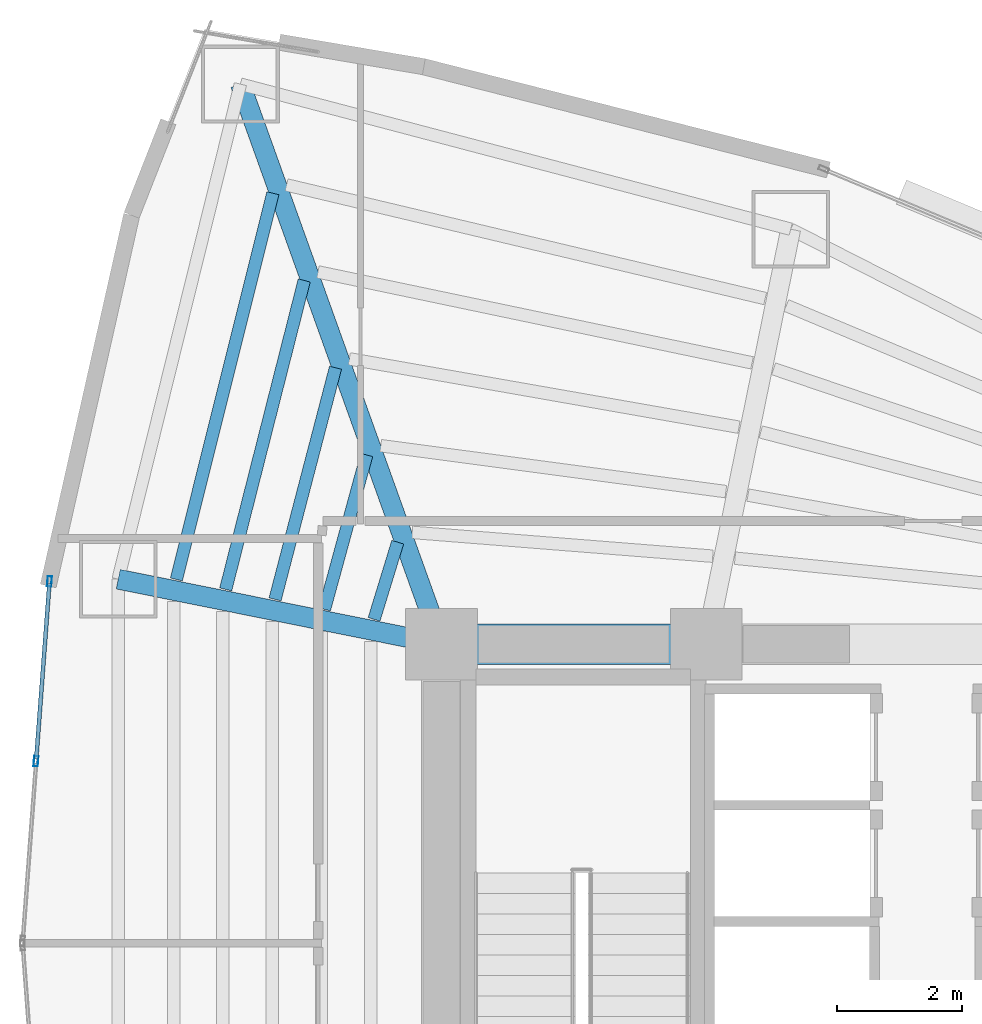
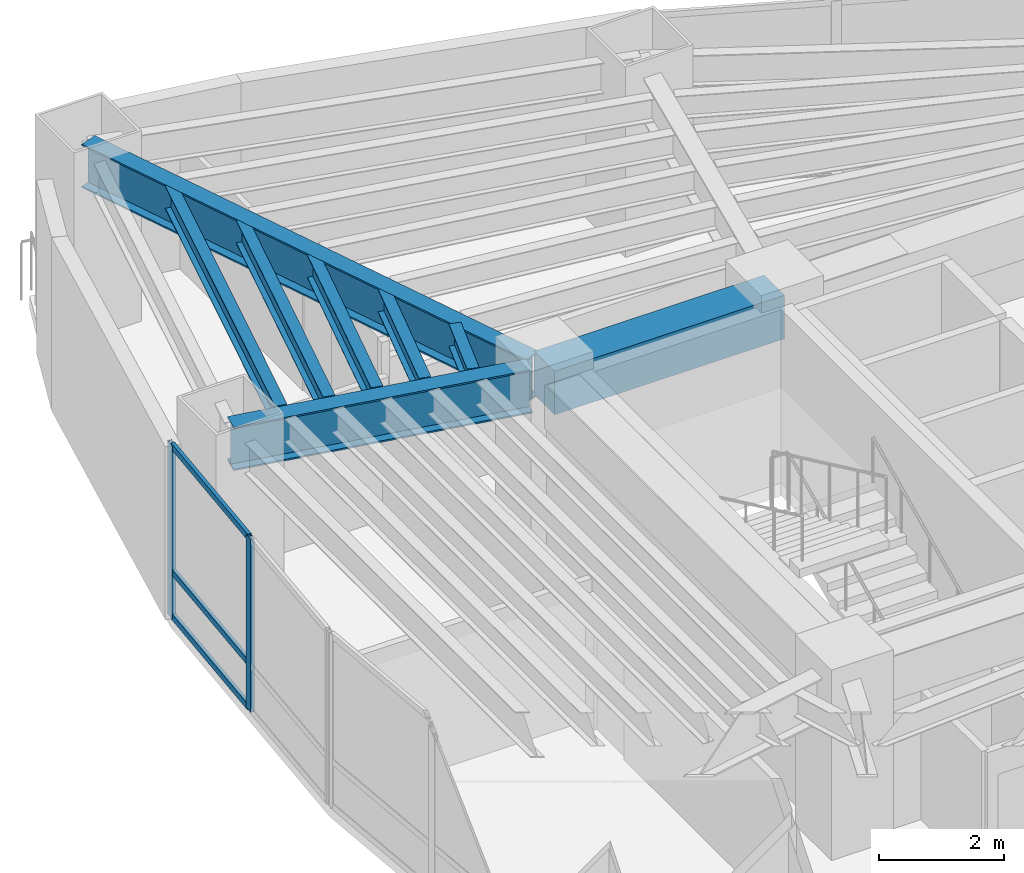
# One storey, part 7 of 16: 8 beams, 5 members, 1 element without a shape of its own.
"""IFC4 building model written with IfcOpenShell, lengths in metres."""

from ifc_helpers import new_model, si_unit, direction, frame, origin, origin_2d, place, context, subcontext, project, spatial, rectangle, hollow_rectangle, i_section, extrude, material, layer, layer_set, material_profile, profile_set, type_object, element, aggregate, save


model = new_model("IFC4")

# Units and contexts
model_context = context("Model", 3, precision=1e-05, world=origin(), true_north=direction((0.0, 1.0)))
body_context = subcontext(model_context, "Body", "Model", "MODEL_VIEW")
ifc_project = project(units=[si_unit("LENGTHUNIT", "METRE"), si_unit("AREAUNIT", "SQUARE_METRE"), si_unit("VOLUMEUNIT", "CUBIC_METRE"), si_unit("PLANEANGLEUNIT", "RADIAN"), si_unit("MASSUNIT", "GRAM", prefix="KILO")], contexts=[model_context])

# Site, building, storey
site_placement = place(None, origin())
site = spatial("IfcSite", under=ifc_project, at=site_placement, CompositionType="ELEMENT")
building_placement = place(site_placement, origin())
building = spatial("IfcBuilding", under=site, at=building_placement, Name="Menara Vayukalpa", CompositionType="ELEMENT")
storey_placement = place(building_placement, frame((0.0, 0.0, 79.679931640625)))
storey = spatial("IfcBuildingStorey", under=building, at=storey_placement, Name="L19", CompositionType="ELEMENT", Elevation=79.679931640625)

# Beams
ifc_material_1 = material(Name="Concrete C60/75", Category="concrete")
ifc_material_profile_1 = material_profile(ifc_material_1, rectangle(XDim=0.64990234375, YDim=0.85009765625, at=origin_2d()), Name="RC 650x850")
ifc_profile_set_1 = profile_set([ifc_material_profile_1], Name="Concrete C60/75")
beam_type_1 = type_object("IfcBeamType", Name="BM-CB1", PredefinedType="BEAM", material=ifc_profile_set_1)
beam_1_placement = place(storey_placement, frame((17.800048828125, 26.800048828125, 2.955078125), z_axis=(1.0, 0.0, 0.0), x_axis=(0.0, 1.0, 0.0)))
element("IfcBeam", 1, at=beam_1_placement, inside=storey, type_object=beam_type_1, Name="L19 Core Tie Beam CBR4", PredefinedType="BEAM", context=body_context, shape_type="SweptSolid", body=[
    extrude(rectangle(XDim=0.64990234375, YDim=0.85009765625, at=origin_2d()), origin(), (0.0, 0.0, 1.0), 4.25),
])
ifc_material_2 = material(Name="Steel S355", Category="steel")
ifc_material_profile_2 = material_profile(ifc_material_2, i_section(OverallWidth=0.320068359375, OverallDepth=0.85009765625, WebThickness=0.01611328125, FlangeThickness=0.030029296875, at=origin_2d()), Name="WF 850x320x16x30")
ifc_profile_set_2 = profile_set([ifc_material_profile_2], Name="Steel S355")
beam_type_2 = type_object("IfcBeamType", Name="BM-PG2", PredefinedType="BEAM", material=ifc_profile_set_2)
beam_2_placement = place(storey_placement, frame((17.715576171875, 27.035400390625, 2.955078125), z_axis=(-0.337975542909, 0.941154892882, 0.0), x_axis=(-0.941154892882, -0.337975542909, 0.0)))
element("IfcBeam", 2, at=beam_2_placement, inside=storey, type_object=beam_type_2, Name="L19 Primary Radial Girder RG04", PredefinedType="BEAM", context=body_context, shape_type="SweptSolid", body=[
    extrude(i_section(OverallWidth=0.320068359375, OverallDepth=0.85009765625, WebThickness=0.01611328125, FlangeThickness=0.030029296875, at=origin_2d()), origin(), (0.0, 0.0, 1.0), 9.309814453125),
])
beam_3_placement = place(storey_placement, frame((17.554931640625, 26.849365234375, 2.955078125), z_axis=(-0.980324984906, 0.197390283373, 0.0), x_axis=(-0.197390283373, -0.980324984906, 0.0)))
element("IfcBeam", 3, at=beam_3_placement, inside=storey, type_object=beam_type_2, Name="L19 Primary Radial Girder RG05", PredefinedType="BEAM", context=body_context, shape_type="SweptSolid", body=[
    extrude(i_section(OverallWidth=0.320068359375, OverallDepth=0.85009765625, WebThickness=0.01611328125, FlangeThickness=0.030029296875, at=origin_2d()), origin(), (0.0, 0.0, 1.0), 5.047607421875),
])
ifc_material_3 = material(Name="Steel S355", Category="steel")
ifc_material_profile_3 = material_profile(ifc_material_3, i_section(OverallWidth=0.199951171875, OverallDepth=0.449951171875, WebThickness=0.009033203125, FlangeThickness=0.013916015625, at=origin_2d()), Name="WF 450x200x9x14")
ifc_profile_set_3 = profile_set([ifc_material_profile_3], Name="Steel S355")
beam_type_3 = type_object("IfcBeamType", Name="BM-SJ1", PredefinedType="JOIST", material=ifc_profile_set_3)
beam_4_placement = place(storey_placement, frame((17.096435546875, 28.4404296875, 3.155029296875), z_axis=(-0.292802109412, -0.95617306212, 0.0), x_axis=(0.95617306212, -0.292802109412, 0.0)))
element("IfcBeam", 4, at=beam_4_placement, inside=storey, type_object=beam_type_3, Name="L19 Secondary Floor Joist SJ04-1", PredefinedType="JOIST", context=body_context, shape_type="SweptSolid", body=[
    extrude(i_section(OverallWidth=0.199951171875, OverallDepth=0.449951171875, WebThickness=0.009033203125, FlangeThickness=0.013916015625, at=origin_2d()), origin(), (0.0, 0.0, 1.0), 1.296630859375),
])
beam_5_placement = place(storey_placement, frame((16.59814453125, 29.8408203125, 3.155029296875), z_axis=(-0.263888952397, -0.964553067904, 0.0), x_axis=(0.964553067904, -0.263888952397, 0.0)))
element("IfcBeam", 5, at=beam_5_placement, inside=storey, type_object=beam_type_3, Name="L19 Secondary Floor Joist SJ04-2", PredefinedType="JOIST", context=body_context, shape_type="SweptSolid", body=[
    extrude(i_section(OverallWidth=0.199951171875, OverallDepth=0.449951171875, WebThickness=0.009033203125, FlangeThickness=0.013916015625, at=origin_2d()), origin(), (0.0, 0.0, 1.0), 2.570068359375),
])
beam_6_placement = place(storey_placement, frame((16.096923828125, 31.2421875, 3.155029296875), z_axis=(-0.252458083783, -0.967607831682, 0.0), x_axis=(0.967607831682, -0.252458083783, 0.0)))
element("IfcBeam", 6, at=beam_6_placement, inside=storey, type_object=beam_type_3, Name="L19 Secondary Floor Joist SJ04-3", PredefinedType="JOIST", context=body_context, shape_type="SweptSolid", body=[
    extrude(i_section(OverallWidth=0.199951171875, OverallDepth=0.449951171875, WebThickness=0.009033203125, FlangeThickness=0.013916015625, at=origin_2d()), origin(), (0.0, 0.0, 1.0), 3.844970703125),
])
beam_7_placement = place(storey_placement, frame((15.594482421875, 32.643798828125, 3.155029296875), z_axis=(-0.246281114503, -0.969198438215, 0.0), x_axis=(0.969198438215, -0.246281114503, 0.0)))
element("IfcBeam", 7, at=beam_7_placement, inside=storey, type_object=beam_type_3, Name="L19 Secondary Floor Joist SJ04-4", PredefinedType="JOIST", context=body_context, shape_type="SweptSolid", body=[
    extrude(i_section(OverallWidth=0.199951171875, OverallDepth=0.449951171875, WebThickness=0.009033203125, FlangeThickness=0.013916015625, at=origin_2d()), origin(), (0.0, 0.0, 1.0), 5.1201171875),
])
beam_8_placement = place(storey_placement, frame((15.091796875, 34.045654296875, 3.155029296875), z_axis=(-0.242481731849, -0.970155971852, 0.0), x_axis=(0.970155971852, -0.242481731849, 0.0)))
element("IfcBeam", 8, at=beam_8_placement, inside=storey, type_object=beam_type_3, Name="L19 Secondary Floor Joist SJ04-5", PredefinedType="JOIST", context=body_context, shape_type="SweptSolid", body=[
    extrude(i_section(OverallWidth=0.199951171875, OverallDepth=0.449951171875, WebThickness=0.009033203125, FlangeThickness=0.013916015625, at=origin_2d()), origin(), (0.0, 0.0, 1.0), 6.3955078125),
])

# Curtain wall, members
ifc_material_4 = material(Name="Anodised Terracotta Aluminium Alloy 6063-T6", Category="masonry")
ifc_layer = layer(ifc_material_4, 0.1650390625)
ifc_layer_set = layer_set([ifc_layer], Name="Anodised Terracotta Aluminium Alloy 6063-T6")
curtain_wall_type = type_object("IfcCurtainWallType", Name="CW-CW2", PredefinedType="USERDEFINED", material=ifc_layer_set)
curtain_wall_placement = place(storey_placement, origin())
curtain_wall = element("IfcCurtainWall", 9, at=curtain_wall_placement, inside=storey, type_object=curtain_wall_type, Name="L19 Low Rise Terracotta Ribbon Curtain Wall CW2 10", ObjectType="UNITISED", PredefinedType="USERDEFINED")
ifc_material_5 = material(Name="Anodised Terracotta Aluminium Alloy 6063-T6", Category="masonry")
ifc_material_profile_4 = material_profile(ifc_material_5, hollow_rectangle(XDim=0.070068359375, YDim=0.1650390625, WallThickness=0.00390625, at=origin_2d()), Name="ALU 70x165x4")
ifc_profile_set_4 = profile_set([ifc_material_profile_4], Name="Anodised Terracotta Aluminium Alloy 6063-T6")
member_type_1 = type_object("IfcMemberType", Name="CWM-CW2", PredefinedType="MULLION", material=ifc_profile_set_4)
member_1_placement = place(storey_placement, frame((11.50390625, 27.810791015625, 0.0), z_axis=(0.0, 0.0, 1.0), x_axis=(0.997199659745, -0.07478528334, 0.0)))
member_1 = element("IfcMember", 10, at=member_1_placement, type_object=member_type_1, Name="CW2 mullion 1", PredefinedType="MULLION", context=body_context, shape_type="SweptSolid", body=[
    extrude(hollow_rectangle(XDim=0.070068359375, YDim=0.1650390625, WallThickness=0.00390625, at=origin_2d()), origin(), (0.0, 0.0, 1.0), 3.380126953125),
])
member_2_placement = place(storey_placement, frame((11.287353515625, 24.9228515625, 0.0), z_axis=(0.0, 0.0, 1.0), x_axis=(0.997199659745, -0.07478528334, 0.0)))
member_2 = element("IfcMember", 11, at=member_2_placement, type_object=member_type_1, Name="CW2 mullion 2", PredefinedType="MULLION", context=body_context, shape_type="SweptSolid", body=[
    extrude(hollow_rectangle(XDim=0.070068359375, YDim=0.1650390625, WallThickness=0.00390625, at=origin_2d()), origin(), (0.0, 0.0, 1.0), 3.380126953125),
])
ifc_material_6 = material(Name="Anodised Terracotta Aluminium Alloy 6063-T6", Category="masonry")
ifc_material_profile_5 = material_profile(ifc_material_6, hollow_rectangle(XDim=0.06494140625, YDim=0.1201171875, WallThickness=0.00341796875, at=origin_2d()), Name="ALU 65x120x3.5")
ifc_profile_set_5 = profile_set([ifc_material_profile_5], Name="Anodised Terracotta Aluminium Alloy 6063-T6")
member_type_2 = type_object("IfcMemberType", Name="CWT-CW2", PredefinedType="USERDEFINED", material=ifc_profile_set_5)
member_3_placement = place(storey_placement, frame((11.50146484375, 27.77587890625, 0.032470703125), z_axis=(-0.074813572531, -0.997197537785, 0.0), x_axis=(0.997197537785, -0.074813572531, 0.0)))
member_3 = element("IfcMember", 12, at=member_3_placement, type_object=member_type_2, Name="CW2 transom 1.1", ObjectType="TRANSOM", PredefinedType="USERDEFINED", context=body_context, shape_type="SweptSolid", body=[
    extrude(hollow_rectangle(XDim=0.06494140625, YDim=0.1201171875, WallThickness=0.00341796875, at=origin_2d()), origin(), (0.0, 0.0, 1.0), 2.825927734375),
])
member_4_placement = place(storey_placement, frame((11.50146484375, 27.77587890625, 0.900146484375), z_axis=(-0.074813572531, -0.997197537785, 0.0), x_axis=(0.997197537785, -0.074813572531, 0.0)))
member_4 = element("IfcMember", 13, at=member_4_placement, type_object=member_type_2, Name="CW2 transom 1.2", ObjectType="TRANSOM", PredefinedType="USERDEFINED", context=body_context, shape_type="SweptSolid", body=[
    extrude(hollow_rectangle(XDim=0.06494140625, YDim=0.1201171875, WallThickness=0.00341796875, at=origin_2d()), origin(), (0.0, 0.0, 1.0), 2.825927734375),
])
member_5_placement = place(storey_placement, frame((11.50146484375, 27.77587890625, 3.34765625), z_axis=(-0.074813572531, -0.997197537785, 0.0), x_axis=(0.997197537785, -0.074813572531, 0.0)))
member_5 = element("IfcMember", 14, at=member_5_placement, type_object=member_type_2, Name="CW2 transom 1.3", ObjectType="TRANSOM", PredefinedType="USERDEFINED", context=body_context, shape_type="SweptSolid", body=[
    extrude(hollow_rectangle(XDim=0.06494140625, YDim=0.1201171875, WallThickness=0.00341796875, at=origin_2d()), origin(), (0.0, 0.0, 1.0), 2.825927734375),
])
aggregate(curtain_wall, [member_1, member_2, member_3, member_4, member_5])

save(model, "model.ifc")
